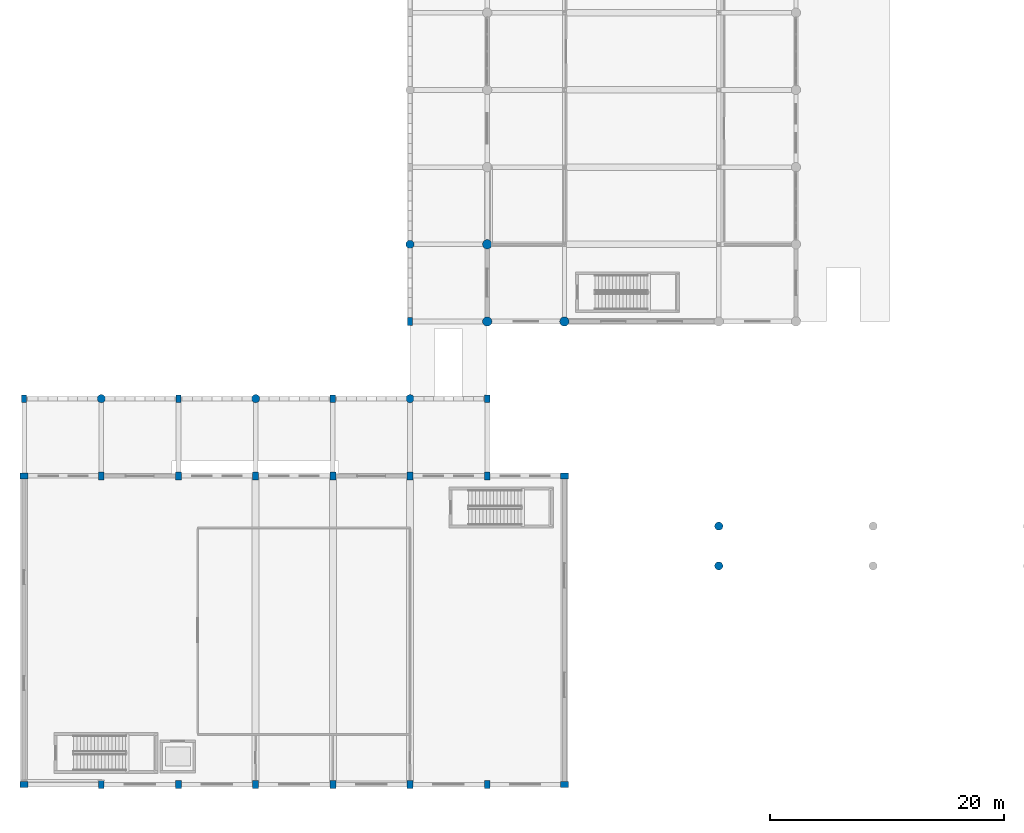
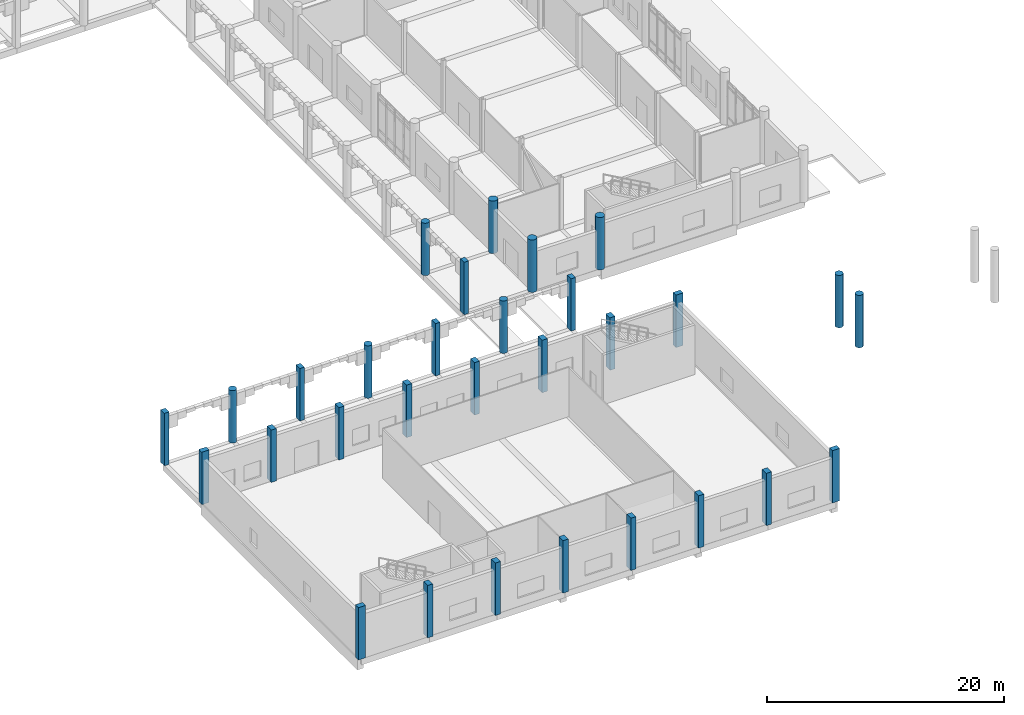
# One storey, part 1 of 72: 30 columns.
"""IFC4 building model written with IfcOpenShell, lengths in metres."""

from ifc_helpers import new_model, si_unit, direction, frame, origin, origin_2d, place, context, subcontext, project, spatial, rectangle, circle, extrude, material, material_profile, profile_set, type_object, element, save


model = new_model("IFC4")

# Units and contexts
model_context = context("Model", 3, precision=1e-05, world=origin(), true_north=direction((0.0, 1.0)))
body_context = subcontext(model_context, "Body", "Model", "MODEL_VIEW")
ifc_project = project(units=[si_unit("LENGTHUNIT", "METRE"), si_unit("AREAUNIT", "SQUARE_METRE"), si_unit("VOLUMEUNIT", "CUBIC_METRE"), si_unit("PLANEANGLEUNIT", "RADIAN"), si_unit("MASSUNIT", "GRAM", prefix="KILO")], contexts=[model_context])

# Site, building, storey
site_placement = place(None, origin())
site = spatial("IfcSite", under=ifc_project, at=site_placement, CompositionType="ELEMENT")
building_placement = place(site_placement, origin())
building = spatial("IfcBuilding", under=site, at=building_placement, Name="Dornvale Research Institute", CompositionType="ELEMENT")
storey_placement = place(building_placement, origin())
storey = spatial("IfcBuildingStorey", under=building, at=storey_placement, Name="L00", CompositionType="ELEMENT", Elevation=0.0)

# Columns
ifc_material_1 = material(Name="Concrete f'c 45 MPa (C35/45)", Category="concrete")
ifc_material_profile_1 = material_profile(ifc_material_1, circle(Radius=0.39990234375, at=origin_2d()), Name="RC DIA 800")
ifc_profile_set_1 = profile_set([ifc_material_profile_1], Name="Concrete f'c 45 MPa (C35/45)")
column_type_1 = type_object("IfcColumnType", Name="Column_RCDia800_Ext", PredefinedType="COLUMN", material=ifc_profile_set_1)
for number, where, z_axis, x_axis, name in (
    (1, (39.60009765625, 39.60009765625, 0.0), (0.0, 0.0, 1.0), (1.0, 0.0, 0.0), "L00 column #1018"),
    (2, (39.60009765625, 46.199951171875, 0.0), (0.0, 0.0, 1.0), (1.0, 0.0, 0.0), "L00 column #1019"),
    (3, (46.199951171875, 39.60009765625, 0.0), (0.0, 0.0, 1.0), (1.0, 0.0, 0.0), "L00 column #1026"),
):
    element("IfcColumn", number, at=place(storey_placement, frame(where, z_axis=z_axis, x_axis=x_axis)), inside=storey, type_object=column_type_1, Name=name, PredefinedType="COLUMN", context=body_context, shape_type="SweptSolid", body=[
        extrude(circle(Radius=0.39990234375, at=origin_2d()), origin(), (0.0, 0.0, 1.0), 5.39990234375),
    ])
ifc_material_2 = material(Name="Concrete f'c 45 MPa (C35/45)", Category="concrete")
ifc_material_profile_2 = material_profile(ifc_material_2, rectangle(XDim=0.449951171875, YDim=0.64990234375, at=origin_2d()), Name="RC 450x650")
ifc_profile_set_2 = profile_set([ifc_material_profile_2], Name="Concrete f'c 45 MPa (C35/45)")
column_type_2 = type_object("IfcColumnType", Name="Pilaster_RC450x650_Ext", PredefinedType="PILASTER", material=ifc_profile_set_2)
for number, where, z_axis, x_axis, name in (
    (4, (0.0, 33.0, 0.0), (0.0, 0.0, 1.0), (1.0, 0.0, 0.0), "L00 colonnade column #1211"),
    (5, (13.199951171875, 33.0, 0.0), (0.0, 0.0, 1.0), (1.0, 0.0, 0.0), "L00 colonnade column #1215"),
    (6, (26.39990234375, 33.0, 0.0), (0.0, 0.0, 1.0), (1.0, 0.0, 0.0), "L00 colonnade column #1219"),
    (7, (39.60009765625, 33.0, 0.0), (0.0, 0.0, 1.0), (1.0, 0.0, 0.0), "L00 colonnade column #1223"),
    (8, (33.0, 39.60009765625, 0.0), (0.0, 0.0, 1.0), (1.0, 0.0, 0.0), "L00 colonnade column #1239"),
):
    element("IfcColumn", number, at=place(storey_placement, frame(where, z_axis=z_axis, x_axis=x_axis)), inside=storey, type_object=column_type_2, Name=name, PredefinedType="PILASTER", context=body_context, shape_type="SweptSolid", body=[
        extrude(rectangle(XDim=0.449951171875, YDim=0.64990234375, at=origin_2d()), origin(), (0.0, 0.0, 1.0), 5.39990234375),
    ])
ifc_material_3 = material(Name="Concrete f'c 50 MPa (C40/50)", Category="concrete")
ifc_material_profile_3 = material_profile(ifc_material_3, rectangle(XDim=0.5, YDim=0.699951171875, at=origin_2d()), Name="RC 500x700")
ifc_profile_set_3 = profile_set([ifc_material_profile_3], Name="Concrete f'c 50 MPa (C40/50)")
column_type_3 = type_object("IfcColumnType", Name="Pilaster_RC500x700_Ext", PredefinedType="PILASTER", material=ifc_profile_set_3)
for number, where, z_axis, x_axis, name in (
    (9, (0.0, 0.0, 0.0), (0.0, 0.0, 1.0), (0.0, 1.0, 0.0), "L00 column #1162"),
    (10, (0.0, 26.39990234375, 0.0), (0.0, 0.0, 1.0), (0.0, 1.0, 0.0), "L00 column #1163"),
    (11, (6.60009765625, 0.0, 0.0), (0.0, 0.0, 1.0), (1.0, 0.0, 0.0), "L00 column #1164"),
    (12, (6.60009765625, 26.39990234375, 0.0), (0.0, 0.0, 1.0), (1.0, 0.0, 0.0), "L00 column #1165"),
    (13, (13.199951171875, 0.0, 0.0), (0.0, 0.0, 1.0), (1.0, 0.0, 0.0), "L00 column #1166"),
    (14, (13.199951171875, 26.39990234375, 0.0), (0.0, 0.0, 1.0), (1.0, 0.0, 0.0), "L00 column #1167"),
    (15, (19.800048828125, 0.0, 0.0), (0.0, 0.0, 1.0), (1.0, 0.0, 0.0), "L00 column #1168"),
    (16, (19.800048828125, 26.39990234375, 0.0), (0.0, 0.0, 1.0), (1.0, 0.0, 0.0), "L00 column #1169"),
    (17, (26.39990234375, 0.0, 0.0), (0.0, 0.0, 1.0), (1.0, 0.0, 0.0), "L00 column #1170"),
    (18, (26.39990234375, 26.39990234375, 0.0), (0.0, 0.0, 1.0), (1.0, 0.0, 0.0), "L00 column #1171"),
    (19, (33.0, 0.0, 0.0), (0.0, 0.0, 1.0), (1.0, 0.0, 0.0), "L00 column #1172"),
    (20, (33.0, 26.39990234375, 0.0), (0.0, 0.0, 1.0), (1.0, 0.0, 0.0), "L00 column #1173"),
    (21, (39.60009765625, 0.0, 0.0), (0.0, 0.0, 1.0), (1.0, 0.0, 0.0), "L00 column #1174"),
    (22, (39.60009765625, 26.39990234375, 0.0), (0.0, 0.0, 1.0), (1.0, 0.0, 0.0), "L00 column #1175"),
    (23, (46.199951171875, 0.0, 0.0), (0.0, 0.0, 1.0), (0.0, 1.0, 0.0), "L00 column #1176"),
    (24, (46.199951171875, 26.39990234375, 0.0), (0.0, 0.0, 1.0), (0.0, 1.0, 0.0), "L00 column #1177"),
):
    element("IfcColumn", number, at=place(storey_placement, frame(where, z_axis=z_axis, x_axis=x_axis)), inside=storey, type_object=column_type_3, Name=name, PredefinedType="PILASTER", context=body_context, shape_type="SweptSolid", body=[
        extrude(rectangle(XDim=0.5, YDim=0.699951171875, at=origin_2d()), origin(), (0.0, 0.0, 1.0), 5.39990234375),
    ])
ifc_material_4 = material(Name="Concrete f'c 45 MPa (C35/45)", Category="concrete")
ifc_material_profile_4 = material_profile(ifc_material_4, circle(Radius=0.35009765625, at=origin_2d()), Name="RC DIA 700")
ifc_profile_set_4 = profile_set([ifc_material_profile_4], Name="Concrete f'c 45 MPa (C35/45)")
column_type_4 = type_object("IfcColumnType", Name="Pilaster_RCDia700_Arcade", PredefinedType="PILASTER", material=ifc_profile_set_4)
for number, where, z_axis, x_axis, name in (
    (25, (6.60009765625, 33.0, 0.0), (0.0, 0.0, 1.0), (1.0, 0.0, 0.0), "L00 colonnade column #1213"),
    (26, (19.800048828125, 33.0, 0.0), (0.0, 0.0, 1.0), (1.0, 0.0, 0.0), "L00 colonnade column #1217"),
    (27, (33.0, 33.0, 0.0), (0.0, 0.0, 1.0), (1.0, 0.0, 0.0), "L00 colonnade column #1221"),
    (28, (33.0, 46.199951171875, 0.0), (0.0, 0.0, 1.0), (1.0, 0.0, 0.0), "L00 colonnade column #1241"),
    (29, (59.39990234375, 18.699951171875, 0.0), (0.0, 0.0, 1.0), (1.0, 0.0, 0.0), "L00 cloister link bridge pier #32"),
    (30, (59.39990234375, 22.10009765625, 0.0), (0.0, 0.0, 1.0), (1.0, 0.0, 0.0), "L00 cloister link bridge pier #44"),
):
    element("IfcColumn", number, at=place(storey_placement, frame(where, z_axis=z_axis, x_axis=x_axis)), inside=storey, type_object=column_type_4, Name=name, PredefinedType="PILASTER", context=body_context, shape_type="SweptSolid", body=[
        extrude(circle(Radius=0.35009765625, at=origin_2d()), origin(), (0.0, 0.0, 1.0), 5.39990234375),
    ])

save(model, "model.ifc")
